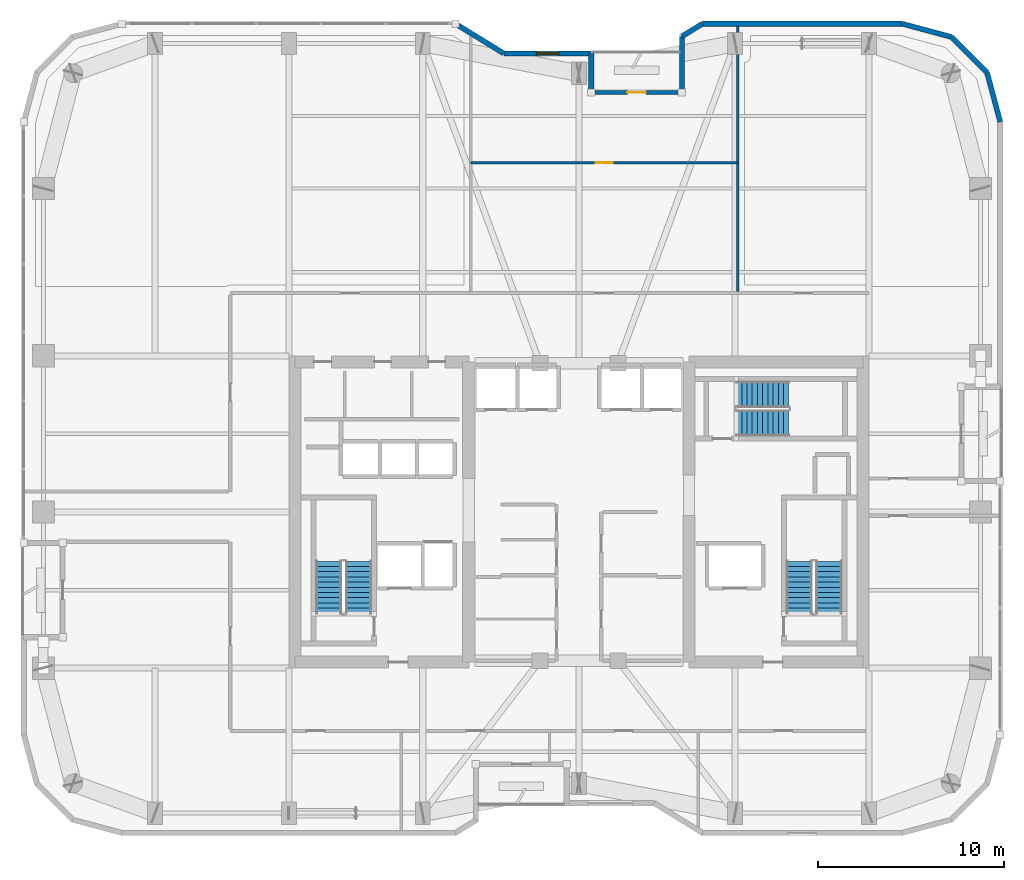
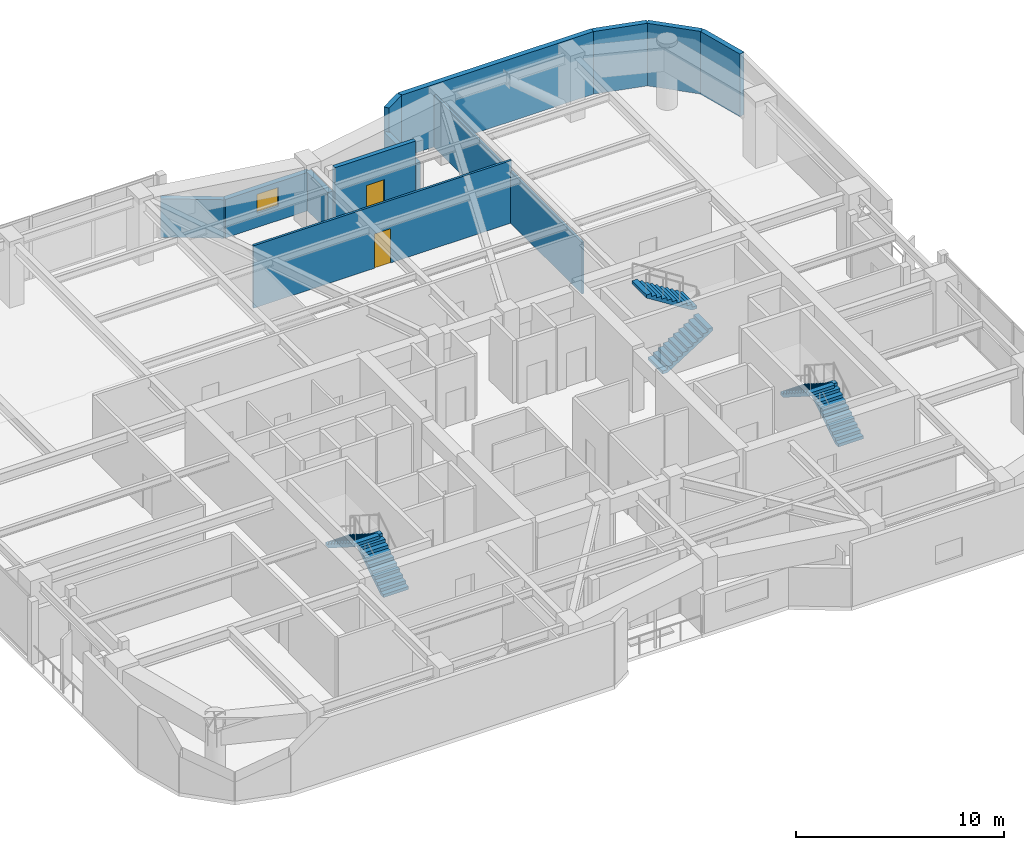
# One storey, part 27 of 30: 12 walls, 6 stair flights, 2 doors, 1 window, 3 openings, 3 elements without a shape of their own.
"""IFC4 building model written with IfcOpenShell, lengths in metres."""

from ifc_helpers import new_model, si_unit, direction, frame, frame_2d, origin, place, context, subcontext, project, spatial, polyline, rectangle, outline, extrude, material, layer, layer_set, type_object, element, fill, aggregate, save


model = new_model("IFC4")

# Units and contexts
model_context = context("Model", 3, precision=1e-05, world=origin(), true_north=direction((0.0, 1.0)))
body_context = subcontext(model_context, "Body", "Model", "MODEL_VIEW")
ifc_project = project(units=[si_unit("LENGTHUNIT", "METRE"), si_unit("AREAUNIT", "SQUARE_METRE"), si_unit("VOLUMEUNIT", "CUBIC_METRE"), si_unit("PLANEANGLEUNIT", "RADIAN"), si_unit("MASSUNIT", "GRAM", prefix="KILO")], contexts=[model_context])

# Site, building, storey
site_placement = place(None, origin())
site = spatial("IfcSite", under=ifc_project, at=site_placement, CompositionType="ELEMENT")
building_placement = place(site_placement, origin())
building = spatial("IfcBuilding", under=site, at=building_placement, Name="Kiyonajd Concourse Tower", CompositionType="ELEMENT")
storey_placement = place(building_placement, frame((0.0, 0.0, 194.10009765625)))
storey = spatial("IfcBuildingStorey", under=building, at=storey_placement, Name="L49", CompositionType="ELEMENT", Elevation=194.10009765625)

# Wall
ifc_material_1 = material(Name="Precast concrete C50/60", Category="concrete")
ifc_layer_1 = layer(ifc_material_1, 0.280029296875)
ifc_layer_set_1 = layer_set([ifc_layer_1], Name="Precast concrete C50/60")
wall_type_1 = type_object("IfcWallType", Name="WL-EXT-280", PredefinedType="SOLIDWALL", material=ifc_layer_set_1)
wall_1_placement = place(storey_placement, frame((41.3603515625, 62.260009765625, 0.0), z_axis=(0.0, 0.0, 1.0), x_axis=(0.851652825334, -0.524106349037, 0.0)))
element("IfcWall", 1, at=wall_1_placement, inside=storey, type_object=wall_type_1, Name="L49 Exterior Concrete Frame Wall 10", PredefinedType="SOLIDWALL", context=body_context, shape_type="SweptSolid", body=[
    extrude(rectangle(XDim=3.052978515625, YDim=0.280029296875, at=frame_2d((1.5263671875, 0.0))), origin(), (0.0, 0.0, 1.0), 2.264892578125),
])

# Wall, opening, window
wall_2_placement = place(storey_placement, frame((43.96044921875, 60.659912109375, 0.0), z_axis=(0.0, 0.0, 1.0), x_axis=(1.0, 0.0, 0.0)))
wall_2 = element("IfcWall", 2, at=wall_2_placement, inside=storey, type_object=wall_type_1, Name="L49 Exterior Concrete Frame Wall 11", PredefinedType="SOLIDWALL", context=body_context, shape_type="SweptSolid", body=[
    extrude(rectangle(XDim=4.699462890625, YDim=0.280029296875, at=frame_2d((2.349609375, 0.0))), origin(), (0.0, 0.0, 1.0), 2.264892578125),
])
opening_1_placement = place(wall_2_placement, frame((1.75, 0.0, 0.85009765625)))
opening_1 = element("IfcOpeningElement", 3, at=opening_1_placement, cuts=wall_2, Name="Opening WN3", PredefinedType="OPENING", context=body_context, shape_type="SweptSolid", body=[
    extrude(rectangle(XDim=1.199951171875, YDim=1.10009765625, at=frame_2d((0.60009765625, 0.550048828125))), frame((0.0, 0.14990234375, 0.0), z_axis=(0.0, -1.0, 0.0), x_axis=(1.0, 0.0, 0.0)), (0.0, 0.0, 1.0), 0.300048828125),
])
ifc_material_2 = material(Name="Double Low-E Insulated Glass", Category="glass")
window_type = type_object("IfcWindowType", Name="WN-VIS-1200x1100", PartitioningType="SINGLE_PANEL", PredefinedType="WINDOW", material=ifc_material_2)
window_placement = place(opening_1_placement, origin())
window = element("IfcWindow", 4, at=window_placement, inside=storey, type_object=window_type, Name="L49 Modular Facade Vision Window 11", OverallHeight=1.10009765625, OverallWidth=1.199951171875, PartitioningType="SINGLE_PANEL", PredefinedType="WINDOW", context=body_context, shape_type="SweptSolid", body=[
    extrude(rectangle(XDim=1.199951171875, YDim=1.10009765625, at=frame_2d((0.60009765625, 0.550048828125))), frame((0.0, 0.030029296875, 0.0), z_axis=(0.0, -1.0, 0.0), x_axis=(1.0, 0.0, 0.0)), (0.0, 0.0, 1.0), 0.06005859375),
])
fill(opening_1, window)

# Walls
wall_3_placement = place(storey_placement, frame((48.659912109375, 60.659912109375, 0.0), z_axis=(0.0, 0.0, 1.0), x_axis=(0.0, -1.0, 0.0)))
element("IfcWall", 5, at=wall_3_placement, inside=storey, type_object=wall_type_1, Name="L49 Exterior Concrete Frame Wall 12", PredefinedType="SOLIDWALL", context=body_context, shape_type="SweptSolid", body=[
    extrude(rectangle(XDim=2.099853515625, YDim=0.280029296875, at=frame_2d((1.0498046875, 0.0))), origin(), (0.0, 0.0, 1.0), 2.264892578125),
])
wall_4_placement = place(storey_placement, frame((53.5400390625, 58.56005859375, 0.0), z_axis=(0.0, 0.0, 1.0), x_axis=(0.0, 1.0, 0.0)))
element("IfcWall", 6, at=wall_4_placement, inside=storey, type_object=wall_type_1, Name="L49 Exterior Concrete Frame Wall 14", PredefinedType="SOLIDWALL", context=body_context, shape_type="SweptSolid", body=[
    extrude(rectangle(XDim=3.023681640625, YDim=0.280029296875, at=frame_2d((1.51171875, 0.0))), origin(), (0.0, 0.0, 1.0), 2.264892578125),
])
wall_5_placement = place(storey_placement, frame((53.5400390625, 61.583740234375, 0.0), z_axis=(0.0, 0.0, 1.0), x_axis=(0.851801140441, 0.523865266212, 0.0)))
element("IfcWall", 7, at=wall_5_placement, inside=storey, type_object=wall_type_1, Name="L49 Exterior Concrete Frame Wall 15", PredefinedType="SOLIDWALL", context=body_context, shape_type="SweptSolid", body=[
    extrude(rectangle(XDim=1.291015625, YDim=0.280029296875, at=frame_2d((0.6455078125, 0.0))), origin(), (0.0, 0.0, 1.0), 3.679931640625),
])
wall_6_placement = place(storey_placement, frame((54.6396484375, 62.260009765625, 0.0), z_axis=(0.0, 0.0, 1.0), x_axis=(1.0, 0.0, 0.0)))
element("IfcWall", 8, at=wall_6_placement, inside=storey, type_object=wall_type_1, Name="L49 Exterior Concrete Frame Wall 16", PredefinedType="SOLIDWALL", context=body_context, shape_type="SweptSolid", body=[
    extrude(rectangle(XDim=10.741943359375, YDim=0.280029296875, at=frame_2d((5.37109375, 0.0))), origin(), (0.0, 0.0, 1.0), 3.679931640625),
])
wall_7_placement = place(storey_placement, frame((65.381591796875, 62.260009765625, 0.0), z_axis=(0.0, 0.0, 1.0), x_axis=(0.965971118627, -0.258649952598, 0.0)))
element("IfcWall", 9, at=wall_7_placement, inside=storey, type_object=wall_type_1, Name="L49 Exterior Concrete Frame Wall 17", PredefinedType="SOLIDWALL", context=body_context, shape_type="SweptSolid", body=[
    extrude(rectangle(XDim=2.7392578125, YDim=0.280029296875, at=frame_2d((1.36962890625, 0.0))), origin(), (0.0, 0.0, 1.0), 3.679931640625),
])
wall_8_placement = place(storey_placement, frame((68.027587890625, 61.551513671875, 0.0), z_axis=(0.0, 0.0, 1.0), x_axis=(0.707061915429, -0.707151644098, 0.0)))
element("IfcWall", 10, at=wall_8_placement, inside=storey, type_object=wall_type_1, Name="L49 Exterior Concrete Frame Wall 18", PredefinedType="SOLIDWALL", context=body_context, shape_type="SweptSolid", body=[
    extrude(rectangle(XDim=2.720947265625, YDim=0.280029296875, at=frame_2d((1.3603515625, 0.0))), origin(), (0.0, 0.0, 1.0), 3.679931640625),
])
wall_9_placement = place(storey_placement, frame((69.951416015625, 59.62744140625, 0.0), z_axis=(0.0, 0.0, 1.0), x_axis=(0.258672222976, -0.9659651552, 0.0)))
element("IfcWall", 11, at=wall_9_placement, inside=storey, type_object=wall_type_1, Name="L49 Exterior Concrete Frame Wall 19", PredefinedType="SOLIDWALL", context=body_context, shape_type="SweptSolid", body=[
    extrude(rectangle(XDim=2.739013671875, YDim=0.280029296875, at=frame_2d((1.36962890625, 0.0))), origin(), (0.0, 0.0, 1.0), 3.679931640625),
])

# Wall, opening, door
ifc_layer_2 = layer(ifc_material_1, 0.239990234375)
ifc_layer_set_2 = layer_set([ifc_layer_2], Name="Precast concrete C50/60")
wall_type_2 = type_object("IfcWallType", Name="WL-LOG-240", PredefinedType="SOLIDWALL", material=ifc_layer_set_2)
wall_10_placement = place(storey_placement, frame((48.85498046875, 58.56005859375, 0.0), z_axis=(0.0, 0.0, 1.0), x_axis=(1.0, 0.0, 0.0)))
wall_10 = element("IfcWall", 12, at=wall_10_placement, inside=storey, type_object=wall_type_2, Name="L49 Recessed Loggia Thermal Wall LOG-N", PredefinedType="SOLIDWALL", context=body_context, shape_type="SweptSolid", body=[
    extrude(rectangle(XDim=4.489990234375, YDim=0.239990234375, at=frame_2d((2.2451171875, 0.0))), origin(), (0.0, 0.0, 1.0), 3.679931640625),
])
opening_2_placement = place(wall_10_placement, frame((1.7451171875, 0.0, 0.0)))
opening_2 = element("IfcOpeningElement", 13, at=opening_2_placement, cuts=wall_10, Name="Opening DL1", PredefinedType="OPENING", context=body_context, shape_type="SweptSolid", body=[
    extrude(rectangle(XDim=1.0, YDim=2.02001953125, at=frame_2d((0.5, 1.010009765625))), frame((0.0, 0.1298828125, 0.0), z_axis=(0.0, -1.0, 0.0), x_axis=(1.0, 0.0, 0.0)), (0.0, 0.0, 1.0), 0.260009765625),
])
ifc_material_3 = material(Name="Thermally Broken Anodised Aluminium", Category="aluminium")
door_type_1 = type_object("IfcDoorType", Name="DR-LOG-1000", OperationType="NOTDEFINED", PredefinedType="DOOR", material=ifc_material_3)
door_1_placement = place(opening_2_placement, origin())
door_1 = element("IfcDoor", 14, at=door_1_placement, inside=storey, type_object=door_type_1, Name="L49 Engawa Loggia Access Door LOG-N", OperationType="SINGLE_SWING_RIGHT", OverallHeight=2.02001953125, OverallWidth=1.0, PredefinedType="DOOR", context=body_context, shape_type="SweptSolid", body=[
    extrude(rectangle(XDim=1.0, YDim=2.02001953125, at=frame_2d((0.5, 1.010009765625))), frame((0.0, 0.02490234375, 0.0), z_axis=(0.0, -1.0, 0.0), x_axis=(1.0, 0.0, 0.0)), (0.0, 0.0, 1.0), 0.050048828125),
])
fill(opening_2, door_1)

ifc_material_4 = material(Name="Gypsum Board on Cold-Formed Steel Stud", Category="steel")
ifc_layer_3 = layer(ifc_material_4, 0.125)
ifc_layer_set_3 = layer_set([ifc_layer_3], Name="Gypsum Board on Cold-Formed Steel Stud")
wall_type_3 = type_object("IfcWallType", Name="WL-PART-125", PredefinedType="PARTITIONING", material=ifc_layer_set_3)
wall_11_placement = place(storey_placement, frame((42.179931640625, 54.7900390625, 0.0), z_axis=(0.0, 0.0, 1.0), x_axis=(1.0, 0.0, 0.0)))
wall_11 = element("IfcWall", 15, at=wall_11_placement, inside=storey, type_object=wall_type_3, Name="L49 Interior Partition Wall", PredefinedType="PARTITIONING", context=body_context, shape_type="SweptSolid", body=[
    extrude(rectangle(XDim=14.360107421875, YDim=0.125, at=frame_2d((7.18017578125, 0.0))), origin(), (0.0, 0.0, 1.0), 3.679931640625),
])
opening_3_placement = place(wall_11_placement, frame((6.72998046875, 0.0, 0.0)))
opening_3 = element("IfcOpeningElement", 16, at=opening_3_placement, cuts=wall_11, Name="Opening DI2", PredefinedType="OPENING", context=body_context, shape_type="SweptSolid", body=[
    extrude(rectangle(XDim=0.89990234375, YDim=2.02001953125, at=frame_2d((0.449951171875, 1.010009765625))), frame((0.0, 0.072509765625, 0.0), z_axis=(0.0, -1.0, 0.0), x_axis=(1.0, 0.0, 0.0)), (0.0, 0.0, 1.0), 0.14501953125),
])
ifc_material_5 = material(Name="Natural Oak Acoustic Timber Veneer", Category="wood")
door_type_2 = type_object("IfcDoorType", Name="DR-INT-900", OperationType="NOTDEFINED", PredefinedType="DOOR", material=ifc_material_5)
door_2_placement = place(opening_3_placement, origin())
door_2 = element("IfcDoor", 17, at=door_2_placement, inside=storey, type_object=door_type_2, Name="L49 Interior Door", OperationType="SINGLE_SWING_LEFT", OverallHeight=2.02001953125, OverallWidth=0.89990234375, PredefinedType="DOOR", context=body_context, shape_type="SweptSolid", body=[
    extrude(rectangle(XDim=0.89990234375, YDim=2.02001953125, at=frame_2d((0.449951171875, 1.010009765625))), frame((0.0, 0.02490234375, 0.0), z_axis=(0.0, -1.0, 0.0), x_axis=(1.0, 0.0, 0.0)), (0.0, 0.0, 1.0), 0.050048828125),
])
fill(opening_3, door_2)

# Wall
wall_12_placement = place(storey_placement, frame((56.5400390625, 47.85693359375, 0.0), z_axis=(0.0, 0.0, 1.0), x_axis=(0.0, 1.0, 0.0)))
element("IfcWall", 18, at=wall_12_placement, inside=storey, type_object=wall_type_3, Name="L49 Interior Partition Wall", PredefinedType="PARTITIONING", context=body_context, shape_type="SweptSolid", body=[
    extrude(rectangle(XDim=14.26806640625, YDim=0.125, at=frame_2d((7.134033203125, 0.0))), origin(), (0.0, 0.0, 1.0), 3.04296875),
])

# Stair, stair flights
ifc_material_6 = material(Name="Concrete C40/50", Category="concrete")
stair_type = type_object("IfcStairType", Name="ST-DLG-22R", PredefinedType="HALF_TURN_STAIR", material=ifc_material_6)
stair_1_placement = place(storey_placement, origin())
stair_1 = element("IfcStair", 19, at=stair_1_placement, inside=storey, type_object=stair_type, Name="L49 Protected Exit Stair ST1", PredefinedType="HALF_TURN_STAIR")
stair_flight_type = type_object("IfcStairFlightType", Name="SF-STR-22R", PredefinedType="STRAIGHT", material=ifc_material_6)
stair_flight_1_placement = place(storey_placement, frame((36.14990234375, 30.550048828125, 0.0), z_axis=(0.0, 0.0, 1.0), x_axis=(0.0, 1.0, 0.0)))
stair_flight_1 = element("IfcStairFlight", 20, at=stair_flight_1_placement, type_object=stair_flight_type, Name="ST1 flight 1", NumberOfRisers=11, NumberOfTreads=10, PredefinedType="STRAIGHT", RiserHeight=0.177272727, TreadLength=0.28, context=body_context, shape_type="SweptSolid", body=[
    extrude(outline(polyline([(0.0, 0.0), (0.0, 0.17724609375), (0.280029296875, 0.17724609375), (0.280029296875, 0.3544921875), (0.56005859375, 0.3544921875), (0.56005859375, 0.53173828125), (0.840087890625, 0.53173828125), (0.840087890625, 0.708984375), (1.1201171875, 0.708984375), (1.1201171875, 0.886474609375), (1.39990234375, 0.886474609375), (1.39990234375, 1.063720703125), (1.679931640625, 1.063720703125), (1.679931640625, 1.240966796875), (1.9599609375, 1.240966796875), (1.9599609375, 1.418212890625), (2.239990234375, 1.418212890625), (2.239990234375, 1.595458984375), (2.52001953125, 1.595458984375), (2.52001953125, 1.772705078125), (2.800048828125, 1.772705078125), (2.800048828125, 1.949951171875), (2.800048828125, 1.59521484375), (0.2802734375, 0.0), (0.0, 0.0)])), frame((0.0, 0.699951171875, 0.0), z_axis=(0.0, -1.0, 0.0), x_axis=(1.0, 0.0, 0.0)), (0.0, 0.0, 1.0), 1.39990234375),
])
stair_flight_2_placement = place(storey_placement, frame((34.550048828125, 33.35009765625, 1.949951171875), z_axis=(0.0, 0.0, 1.0), x_axis=(0.0, -1.0, 0.0)))
stair_flight_2 = element("IfcStairFlight", 21, at=stair_flight_2_placement, type_object=stair_flight_type, Name="ST1 flight 2", NumberOfRisers=11, NumberOfTreads=10, PredefinedType="STRAIGHT", RiserHeight=0.177272727, TreadLength=0.28, context=body_context, shape_type="SweptSolid", body=[
    extrude(outline(polyline([(0.0, 0.0), (0.0, 0.17724609375), (0.280029296875, 0.17724609375), (0.280029296875, 0.3544921875), (0.56005859375, 0.3544921875), (0.56005859375, 0.53173828125), (0.840087890625, 0.53173828125), (0.840087890625, 0.708984375), (1.1201171875, 0.708984375), (1.1201171875, 0.886474609375), (1.39990234375, 0.886474609375), (1.39990234375, 1.063720703125), (1.679931640625, 1.063720703125), (1.679931640625, 1.240966796875), (1.9599609375, 1.240966796875), (1.9599609375, 1.418212890625), (2.239990234375, 1.418212890625), (2.239990234375, 1.595458984375), (2.52001953125, 1.595458984375), (2.52001953125, 1.772705078125), (2.800048828125, 1.772705078125), (2.800048828125, 1.949951171875), (2.800048828125, 1.59521484375), (0.2802734375, 0.0), (0.0, 0.0)])), frame((0.0, 0.699951171875, 0.0), z_axis=(0.0, -1.0, 0.0), x_axis=(1.0, 0.0, 0.0)), (0.0, 0.0, 1.0), 1.39990234375),
])
aggregate(stair_1, [stair_flight_1, stair_flight_2])

stair_2_placement = place(storey_placement, origin())
stair_2 = element("IfcStair", 22, at=stair_2_placement, inside=storey, type_object=stair_type, Name="L49 Protected Exit Stair ST2", PredefinedType="HALF_TURN_STAIR")
stair_flight_3_placement = place(storey_placement, frame((61.449951171875, 30.550048828125, 0.0), z_axis=(0.0, 0.0, 1.0), x_axis=(0.0, 1.0, 0.0)))
stair_flight_3 = element("IfcStairFlight", 23, at=stair_flight_3_placement, type_object=stair_flight_type, Name="ST2 flight 1", NumberOfRisers=11, NumberOfTreads=10, PredefinedType="STRAIGHT", RiserHeight=0.177272727, TreadLength=0.28, context=body_context, shape_type="SweptSolid", body=[
    extrude(outline(polyline([(0.0, 0.0), (0.0, 0.17724609375), (0.280029296875, 0.17724609375), (0.280029296875, 0.3544921875), (0.56005859375, 0.3544921875), (0.56005859375, 0.53173828125), (0.840087890625, 0.53173828125), (0.840087890625, 0.708984375), (1.1201171875, 0.708984375), (1.1201171875, 0.886474609375), (1.39990234375, 0.886474609375), (1.39990234375, 1.063720703125), (1.679931640625, 1.063720703125), (1.679931640625, 1.240966796875), (1.9599609375, 1.240966796875), (1.9599609375, 1.418212890625), (2.239990234375, 1.418212890625), (2.239990234375, 1.595458984375), (2.52001953125, 1.595458984375), (2.52001953125, 1.772705078125), (2.800048828125, 1.772705078125), (2.800048828125, 1.949951171875), (2.800048828125, 1.59521484375), (0.2802734375, 0.0), (0.0, 0.0)])), frame((0.0, 0.699951171875, 0.0), z_axis=(0.0, -1.0, 0.0), x_axis=(1.0, 0.0, 0.0)), (0.0, 0.0, 1.0), 1.39990234375),
])
stair_flight_4_placement = place(storey_placement, frame((59.85009765625, 33.35009765625, 1.949951171875), z_axis=(0.0, 0.0, 1.0), x_axis=(0.0, -1.0, 0.0)))
stair_flight_4 = element("IfcStairFlight", 24, at=stair_flight_4_placement, type_object=stair_flight_type, Name="ST2 flight 2", NumberOfRisers=11, NumberOfTreads=10, PredefinedType="STRAIGHT", RiserHeight=0.177272727, TreadLength=0.28, context=body_context, shape_type="SweptSolid", body=[
    extrude(outline(polyline([(0.0, 0.0), (0.0, 0.17724609375), (0.280029296875, 0.17724609375), (0.280029296875, 0.3544921875), (0.56005859375, 0.3544921875), (0.56005859375, 0.53173828125), (0.840087890625, 0.53173828125), (0.840087890625, 0.708984375), (1.1201171875, 0.708984375), (1.1201171875, 0.886474609375), (1.39990234375, 0.886474609375), (1.39990234375, 1.063720703125), (1.679931640625, 1.063720703125), (1.679931640625, 1.240966796875), (1.9599609375, 1.240966796875), (1.9599609375, 1.418212890625), (2.239990234375, 1.418212890625), (2.239990234375, 1.595458984375), (2.52001953125, 1.595458984375), (2.52001953125, 1.772705078125), (2.800048828125, 1.772705078125), (2.800048828125, 1.949951171875), (2.800048828125, 1.59521484375), (0.2802734375, 0.0), (0.0, 0.0)])), frame((0.0, 0.699951171875, 0.0), z_axis=(0.0, -1.0, 0.0), x_axis=(1.0, 0.0, 0.0)), (0.0, 0.0, 1.0), 1.39990234375),
])
aggregate(stair_2, [stair_flight_3, stair_flight_4])

stair_3_placement = place(storey_placement, origin())
stair_3 = element("IfcStair", 25, at=stair_3_placement, inside=storey, type_object=stair_type, Name="L49 Protected Exit Stair ST3", PredefinedType="HALF_TURN_STAIR")
stair_flight_5_placement = place(storey_placement, frame((56.47998046875, 40.780029296875, 0.0), z_axis=(0.0, 0.0, 1.0), x_axis=(1.0, 0.0, 0.0)))
stair_flight_5 = element("IfcStairFlight", 26, at=stair_flight_5_placement, type_object=stair_flight_type, Name="ST3 flight 1", NumberOfRisers=11, NumberOfTreads=10, PredefinedType="STRAIGHT", RiserHeight=0.177272727, TreadLength=0.28, context=body_context, shape_type="SweptSolid", body=[
    extrude(outline(polyline([(0.0, 0.0), (0.0, 0.17724609375), (0.280029296875, 0.17724609375), (0.280029296875, 0.3544921875), (0.56005859375, 0.3544921875), (0.56005859375, 0.53173828125), (0.840087890625, 0.53173828125), (0.840087890625, 0.708984375), (1.1201171875, 0.708984375), (1.1201171875, 0.886474609375), (1.39990234375, 0.886474609375), (1.39990234375, 1.063720703125), (1.679931640625, 1.063720703125), (1.679931640625, 1.240966796875), (1.9599609375, 1.240966796875), (1.9599609375, 1.418212890625), (2.239990234375, 1.418212890625), (2.239990234375, 1.595458984375), (2.52001953125, 1.595458984375), (2.52001953125, 1.772705078125), (2.800048828125, 1.772705078125), (2.800048828125, 1.949951171875), (2.800048828125, 1.59521484375), (0.2802734375, 0.0), (0.0, 0.0)])), frame((0.0, 0.699951171875, 0.0), z_axis=(0.0, -1.0, 0.0), x_axis=(1.0, 0.0, 0.0)), (0.0, 0.0, 1.0), 1.39990234375),
])
stair_flight_6_placement = place(storey_placement, frame((59.280029296875, 42.320068359375, 1.949951171875), z_axis=(0.0, 0.0, 1.0), x_axis=(-1.0, 0.0, 0.0)))
stair_flight_6 = element("IfcStairFlight", 27, at=stair_flight_6_placement, type_object=stair_flight_type, Name="ST3 flight 2", NumberOfRisers=11, NumberOfTreads=10, PredefinedType="STRAIGHT", RiserHeight=0.177272727, TreadLength=0.28, context=body_context, shape_type="SweptSolid", body=[
    extrude(outline(polyline([(0.0, 0.0), (0.0, 0.17724609375), (0.280029296875, 0.17724609375), (0.280029296875, 0.3544921875), (0.56005859375, 0.3544921875), (0.56005859375, 0.53173828125), (0.840087890625, 0.53173828125), (0.840087890625, 0.708984375), (1.1201171875, 0.708984375), (1.1201171875, 0.886474609375), (1.39990234375, 0.886474609375), (1.39990234375, 1.063720703125), (1.679931640625, 1.063720703125), (1.679931640625, 1.240966796875), (1.9599609375, 1.240966796875), (1.9599609375, 1.418212890625), (2.239990234375, 1.418212890625), (2.239990234375, 1.595458984375), (2.52001953125, 1.595458984375), (2.52001953125, 1.772705078125), (2.800048828125, 1.772705078125), (2.800048828125, 1.949951171875), (2.800048828125, 1.59521484375), (0.2802734375, 0.0), (0.0, 0.0)])), frame((0.0, 0.699951171875, 0.0), z_axis=(0.0, -1.0, 0.0), x_axis=(1.0, 0.0, 0.0)), (0.0, 0.0, 1.0), 1.39990234375),
])
aggregate(stair_3, [stair_flight_5, stair_flight_6])

save(model, "model.ifc")
